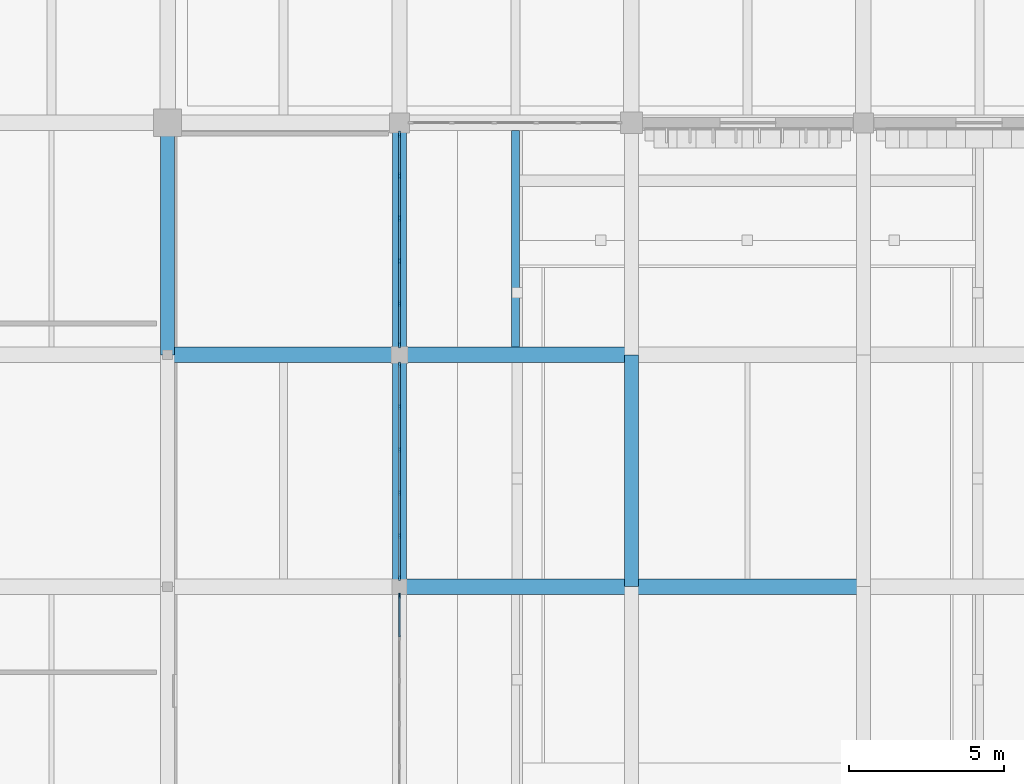
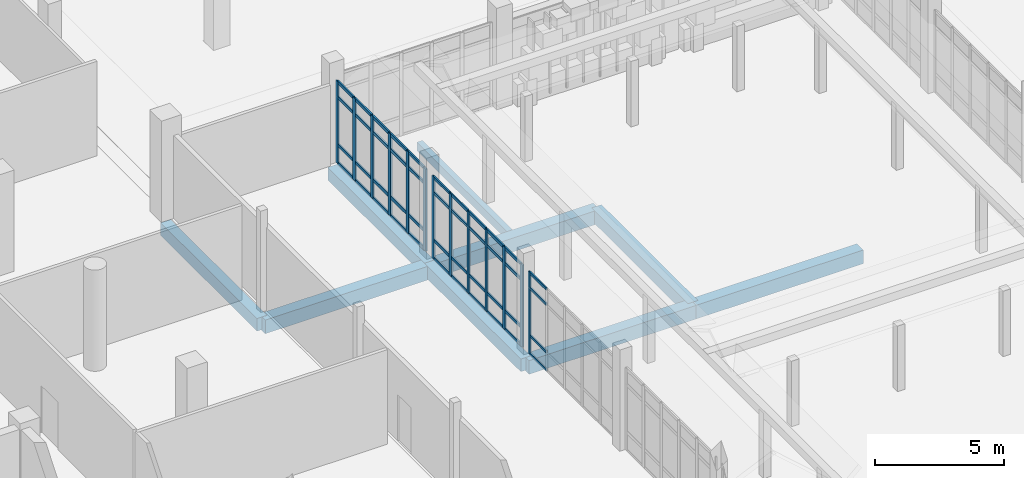
# One storey, part 41 of 125: 57 members, 9 beams, 3 elements without a shape of their own.
"""IFC4 building model written with IfcOpenShell, lengths in metres."""

from ifc_helpers import new_model, si_unit, direction, frame, origin, origin_2d, place, context, subcontext, project, spatial, rectangle, extrude, material, layer, layer_set, material_profile, profile_set, type_object, element, aggregate, save


model = new_model("IFC4")

# Units and contexts
model_context = context("Model", 3, precision=1e-05, world=origin(), true_north=direction((0.0, 1.0)))
body_context = subcontext(model_context, "Body", "Model", "MODEL_VIEW")
ifc_project = project(units=[si_unit("LENGTHUNIT", "METRE"), si_unit("AREAUNIT", "SQUARE_METRE"), si_unit("VOLUMEUNIT", "CUBIC_METRE"), si_unit("PLANEANGLEUNIT", "RADIAN"), si_unit("MASSUNIT", "GRAM", prefix="KILO")], contexts=[model_context])

# Site, building, storey
site_placement = place(None, origin())
site = spatial("IfcSite", under=ifc_project, at=site_placement, CompositionType="ELEMENT")
building_placement = place(site_placement, origin())
building = spatial("IfcBuilding", under=site, at=building_placement, Name="Dalvernix Boulevard General Hospital", CompositionType="ELEMENT")
storey_placement = place(building_placement, origin())
storey = spatial("IfcBuildingStorey", under=building, at=storey_placement, Name="L00", CompositionType="ELEMENT", Elevation=0.0)

# Beams
ifc_material_1 = material(Name="Concrete C35/45", Category="concrete")
ifc_material_profile_1 = material_profile(ifc_material_1, rectangle(XDim=0.5, YDim=0.64990234375, at=origin_2d()), Name="RCB 500x650")
ifc_profile_set_1 = profile_set([ifc_material_profile_1], Name="Concrete C35/45")
beam_type_1 = type_object("IfcBeamType", Name="BM-B-02-I", PredefinedType="BEAM", material=ifc_profile_set_1)
for number, where, z_axis, x_axis, name in (
    (1, (37.5, 61.5, -0.68505859375), (1.0, 0.0, 0.0), (0.0, 1.0, 0.0), "L00 E-W girder J:6-7"),
    (2, (45.0, 61.5, -0.68505859375), (1.0, 0.0, 0.0), (0.0, 1.0, 0.0), "L00 E-W girder J:7-8"),
    (3, (30.0, 69.0, -0.68505859375), (1.0, 0.0, 0.0), (0.0, 1.0, 0.0), "L00 E-W girder K:5-6"),
    (4, (37.5, 69.0, -0.68505859375), (1.0, 0.0, 0.0), (0.0, 1.0, 0.0), "L00 E-W girder K:6-7"),
):
    element("IfcBeam", number, at=place(storey_placement, frame(where, z_axis=z_axis, x_axis=x_axis)), inside=storey, type_object=beam_type_1, Name=name, PredefinedType="BEAM", context=body_context, shape_type="SweptSolid", body=[
        extrude(rectangle(XDim=0.5, YDim=0.64990234375, at=origin_2d()), origin(), (0.0, 0.0, 1.0), 7.5),
    ])
ifc_material_profile_2 = material_profile(ifc_material_1, rectangle(XDim=0.449951171875, YDim=0.60009765625, at=origin_2d()), Name="RCB 450x600")
ifc_profile_set_2 = profile_set([ifc_material_profile_2], Name="Concrete C35/45")
beam_type_2 = type_object("IfcBeamType", Name="BM-B-04-I", PredefinedType="BEAM", material=ifc_profile_set_2)
for number, where, z_axis, x_axis, name in (
    (5, (30.0, 69.0, -0.659912109375), (0.0, 1.0, 0.0), (-1.0, 0.0, 0.0), "L00 N-S girder 5:K-L"),
    (6, (37.5, 61.5, -0.659912109375), (0.0, 1.0, 0.0), (-1.0, 0.0, 0.0), "L00 N-S girder 6:J-K"),
    (7, (37.5, 69.0, -0.659912109375), (0.0, 1.0, 0.0), (-1.0, 0.0, 0.0), "L00 N-S girder 6:K-L"),
    (8, (45.0, 61.5, -0.659912109375), (0.0, 1.0, 0.0), (-1.0, 0.0, 0.0), "L00 N-S girder 7:J-K"),
):
    element("IfcBeam", number, at=place(storey_placement, frame(where, z_axis=z_axis, x_axis=x_axis)), inside=storey, type_object=beam_type_2, Name=name, PredefinedType="BEAM", context=body_context, shape_type="SweptSolid", body=[
        extrude(rectangle(XDim=0.449951171875, YDim=0.60009765625, at=origin_2d()), origin(), (0.0, 0.0, 1.0), 7.5),
    ])
ifc_material_profile_3 = material_profile(ifc_material_1, rectangle(XDim=0.25, YDim=0.39990234375, at=origin_2d()), Name="RCB 250x400")
ifc_profile_set_3 = profile_set([ifc_material_profile_3], Name="Concrete C35/45")
beam_type_3 = type_object("IfcBeamType", Name="BM-JB-02", PredefinedType="JOIST", material=ifc_profile_set_3)
beam_placement = place(storey_placement, frame((41.25, 69.25, -0.56005859375), z_axis=(0.0, 1.0, 0.0), x_axis=(-1.0, 0.0, 0.0)))
element("IfcBeam", 9, at=beam_placement, inside=storey, type_object=beam_type_3, Name="L00 secondary floor beam 6-K", PredefinedType="JOIST", context=body_context, shape_type="SweptSolid", body=[
    extrude(rectangle(XDim=0.25, YDim=0.39990234375, at=origin_2d()), origin(), (0.0, 0.0, 1.0), 7.0),
])

# Curtain wall, member
ifc_material_2 = material(Name="Thermally broken aluminium and solar-control glass curtain wall", Category="aluminium")
ifc_layer_1 = layer(ifc_material_2, 0.159912109375)
ifc_layer_set_1 = layer_set([ifc_layer_1], Name="Thermally broken aluminium and solar-control glass curtain wall (CW-CW-A-70x39)")
curtain_wall_type_1 = type_object("IfcCurtainWallType", Name="CW-CW-A-70x39", PredefinedType="USERDEFINED", material=ifc_layer_set_1)
curtain_wall_1_placement = place(storey_placement, origin())
curtain_wall_1 = element("IfcCurtainWall", 10, at=curtain_wall_1_placement, inside=storey, type_object=curtain_wall_type_1, Name="L00 curtain wall CW-A-70x39 5-7", ObjectType="GLAZED FACADE", PredefinedType="USERDEFINED")
ifc_material_3 = material(Name="Aluminium EN AW-6060", Category="aluminium")
ifc_material_profile_4 = material_profile(ifc_material_3, rectangle(XDim=0.06005859375, YDim=0.159912109375, at=origin_2d()), Name="ALU MULL 60x160")
ifc_profile_set_4 = profile_set([ifc_material_profile_4], Name="Aluminium EN AW-6060")
member_type_1 = type_object("IfcMemberType", Name="MEM-CW-M1", PredefinedType="MULLION", material=ifc_profile_set_4)
member_1_placement = place(storey_placement, frame((37.5, 61.2099609375, 0.0), z_axis=(0.0, 0.0, 1.0), x_axis=(1.0, 0.0, 0.0)))
member_1 = element("IfcMember", 11, at=member_1_placement, type_object=member_type_1, Name="CW-A-70x39 mullion 1", PredefinedType="MULLION", context=body_context, shape_type="SweptSolid", body=[
    extrude(rectangle(XDim=0.06005859375, YDim=0.159912109375, at=origin_2d()), origin(), (0.0, 0.0, 1.0), 3.89990234375),
])

# Curtain wall, members
ifc_layer_2 = layer(ifc_material_2, 0.179931640625)
ifc_layer_set_2 = layer_set([ifc_layer_2], Name="Thermally broken aluminium and solar-control glass curtain wall (CW-CW-B-70x39)")
curtain_wall_type_2 = type_object("IfcCurtainWallType", Name="CW-CW-B-70x39", PredefinedType="USERDEFINED", material=ifc_layer_set_2)
curtain_wall_2_placement = place(storey_placement, origin())
curtain_wall_2 = element("IfcCurtainWall", 12, at=curtain_wall_2_placement, inside=storey, type_object=curtain_wall_type_2, Name="L00 curtain wall CW-B-70x39 5-8", ObjectType="GLAZED FACADE", PredefinedType="USERDEFINED")
ifc_material_profile_5 = material_profile(ifc_material_3, rectangle(XDim=0.06494140625, YDim=0.179931640625, at=origin_2d()), Name="ALU MULL 65x180")
ifc_profile_set_5 = profile_set([ifc_material_profile_5], Name="Aluminium EN AW-6060")
member_type_2 = type_object("IfcMemberType", Name="MEM-CW-M2", PredefinedType="MULLION", material=ifc_profile_set_5)
member_2_placement = place(storey_placement, frame((37.5, 68.6826171875, 0.0), z_axis=(0.0, 0.0, 1.0), x_axis=(1.0, 0.0, 0.0)))
member_2 = element("IfcMember", 13, at=member_2_placement, type_object=member_type_2, Name="CW-B-70x39 mullion 1", PredefinedType="MULLION", context=body_context, shape_type="SweptSolid", body=[
    extrude(rectangle(XDim=0.06494140625, YDim=0.179931640625, at=origin_2d()), origin(), (0.0, 0.0, 1.0), 3.89990234375),
])
member_3_placement = place(storey_placement, frame((37.5, 67.323974609375, 0.0), z_axis=(0.0, 0.0, 1.0), x_axis=(1.0, 0.0, 0.0)))
member_3 = element("IfcMember", 14, at=member_3_placement, type_object=member_type_2, Name="CW-B-70x39 mullion 2", PredefinedType="MULLION", context=body_context, shape_type="SweptSolid", body=[
    extrude(rectangle(XDim=0.06494140625, YDim=0.179931640625, at=origin_2d()), origin(), (0.0, 0.0, 1.0), 3.89990234375),
])
member_4_placement = place(storey_placement, frame((37.5, 65.93310546875, 0.0), z_axis=(0.0, 0.0, 1.0), x_axis=(1.0, 0.0, 0.0)))
member_4 = element("IfcMember", 15, at=member_4_placement, type_object=member_type_2, Name="CW-B-70x39 mullion 3", PredefinedType="MULLION", context=body_context, shape_type="SweptSolid", body=[
    extrude(rectangle(XDim=0.06494140625, YDim=0.179931640625, at=origin_2d()), origin(), (0.0, 0.0, 1.0), 3.89990234375),
])
member_5_placement = place(storey_placement, frame((37.5, 64.5419921875, 0.0), z_axis=(0.0, 0.0, 1.0), x_axis=(1.0, 0.0, 0.0)))
member_5 = element("IfcMember", 16, at=member_5_placement, type_object=member_type_2, Name="CW-B-70x39 mullion 4", PredefinedType="MULLION", context=body_context, shape_type="SweptSolid", body=[
    extrude(rectangle(XDim=0.06494140625, YDim=0.179931640625, at=origin_2d()), origin(), (0.0, 0.0, 1.0), 3.89990234375),
])
member_6_placement = place(storey_placement, frame((37.5, 63.15087890625, 0.0), z_axis=(0.0, 0.0, 1.0), x_axis=(1.0, 0.0, 0.0)))
member_6 = element("IfcMember", 17, at=member_6_placement, type_object=member_type_2, Name="CW-B-70x39 mullion 5", PredefinedType="MULLION", context=body_context, shape_type="SweptSolid", body=[
    extrude(rectangle(XDim=0.06494140625, YDim=0.179931640625, at=origin_2d()), origin(), (0.0, 0.0, 1.0), 3.89990234375),
])
member_7_placement = place(storey_placement, frame((37.5, 61.79248046875, 0.0), z_axis=(0.0, 0.0, 1.0), x_axis=(1.0, 0.0, 0.0)))
member_7 = element("IfcMember", 18, at=member_7_placement, type_object=member_type_2, Name="CW-B-70x39 mullion 6", PredefinedType="MULLION", context=body_context, shape_type="SweptSolid", body=[
    extrude(rectangle(XDim=0.06494140625, YDim=0.179931640625, at=origin_2d()), origin(), (0.0, 0.0, 1.0), 3.89990234375),
])

ifc_layer_3 = layer(ifc_material_2, 0.199951171875)
ifc_layer_set_3 = layer_set([ifc_layer_3], Name="Thermally broken aluminium and solar-control glass curtain wall (CW-CW-C-69x39)")
curtain_wall_type_3 = type_object("IfcCurtainWallType", Name="CW-CW-C-69x39", PredefinedType="USERDEFINED", material=ifc_layer_set_3)
curtain_wall_3_placement = place(storey_placement, origin())
curtain_wall_3 = element("IfcCurtainWall", 19, at=curtain_wall_3_placement, inside=storey, type_object=curtain_wall_type_3, Name="L00 curtain wall CW-C-69x39 5-9", ObjectType="GLAZED FACADE", PredefinedType="USERDEFINED")
ifc_material_profile_6 = material_profile(ifc_material_3, rectangle(XDim=0.070068359375, YDim=0.199951171875, at=origin_2d()), Name="ALU MULL 70x200")
ifc_profile_set_6 = profile_set([ifc_material_profile_6], Name="Aluminium EN AW-6060")
member_type_3 = type_object("IfcMemberType", Name="MEM-CW-M3", PredefinedType="MULLION", material=ifc_profile_set_6)
member_8_placement = place(storey_placement, frame((37.5, 76.1298828125, 0.0), z_axis=(0.0, 0.0, 1.0), x_axis=(1.0, 0.0, 0.0)))
member_8 = element("IfcMember", 20, at=member_8_placement, type_object=member_type_3, Name="CW-C-69x39 mullion 1", PredefinedType="MULLION", context=body_context, shape_type="SweptSolid", body=[
    extrude(rectangle(XDim=0.070068359375, YDim=0.199951171875, at=origin_2d()), origin(), (0.0, 0.0, 1.0), 3.89990234375),
])
member_9_placement = place(storey_placement, frame((37.5, 74.7890625, 0.0), z_axis=(0.0, 0.0, 1.0), x_axis=(1.0, 0.0, 0.0)))
member_9 = element("IfcMember", 21, at=member_9_placement, type_object=member_type_3, Name="CW-C-69x39 mullion 2", PredefinedType="MULLION", context=body_context, shape_type="SweptSolid", body=[
    extrude(rectangle(XDim=0.070068359375, YDim=0.199951171875, at=origin_2d()), origin(), (0.0, 0.0, 1.0), 3.89990234375),
])
member_10_placement = place(storey_placement, frame((37.5, 73.4130859375, 0.0), z_axis=(0.0, 0.0, 1.0), x_axis=(1.0, 0.0, 0.0)))
member_10 = element("IfcMember", 22, at=member_10_placement, type_object=member_type_3, Name="CW-C-69x39 mullion 3", PredefinedType="MULLION", context=body_context, shape_type="SweptSolid", body=[
    extrude(rectangle(XDim=0.070068359375, YDim=0.199951171875, at=origin_2d()), origin(), (0.0, 0.0, 1.0), 3.89990234375),
])
member_11_placement = place(storey_placement, frame((37.5, 72.037109375, 0.0), z_axis=(0.0, 0.0, 1.0), x_axis=(1.0, 0.0, 0.0)))
member_11 = element("IfcMember", 23, at=member_11_placement, type_object=member_type_3, Name="CW-C-69x39 mullion 4", PredefinedType="MULLION", context=body_context, shape_type="SweptSolid", body=[
    extrude(rectangle(XDim=0.070068359375, YDim=0.199951171875, at=origin_2d()), origin(), (0.0, 0.0, 1.0), 3.89990234375),
])
member_12_placement = place(storey_placement, frame((37.5, 70.660888671875, 0.0), z_axis=(0.0, 0.0, 1.0), x_axis=(1.0, 0.0, 0.0)))
member_12 = element("IfcMember", 24, at=member_12_placement, type_object=member_type_3, Name="CW-C-69x39 mullion 5", PredefinedType="MULLION", context=body_context, shape_type="SweptSolid", body=[
    extrude(rectangle(XDim=0.070068359375, YDim=0.199951171875, at=origin_2d()), origin(), (0.0, 0.0, 1.0), 3.89990234375),
])
member_13_placement = place(storey_placement, frame((37.5, 69.320068359375, 0.0), z_axis=(0.0, 0.0, 1.0), x_axis=(1.0, 0.0, 0.0)))
member_13 = element("IfcMember", 25, at=member_13_placement, type_object=member_type_3, Name="CW-C-69x39 mullion 6", PredefinedType="MULLION", context=body_context, shape_type="SweptSolid", body=[
    extrude(rectangle(XDim=0.070068359375, YDim=0.199951171875, at=origin_2d()), origin(), (0.0, 0.0, 1.0), 3.89990234375),
])

# Member
ifc_material_profile_7 = material_profile(ifc_material_3, rectangle(XDim=0.06005859375, YDim=0.1201171875, at=origin_2d()), Name="ALU TRAN 60x120")
ifc_profile_set_7 = profile_set([ifc_material_profile_7], Name="Aluminium EN AW-6060")
member_type_4 = type_object("IfcMemberType", Name="MEM-CW-T1", PredefinedType="USERDEFINED", material=ifc_profile_set_7)
member_14_placement = place(storey_placement, frame((37.5, 61.179931640625, 0.030029296875), z_axis=(0.0, -1.0, 0.0), x_axis=(1.0, 0.0, 0.0)))
member_14 = element("IfcMember", 26, at=member_14_placement, type_object=member_type_4, Name="CW-A-70x39 transom 1.1", ObjectType="TRANSOM", PredefinedType="USERDEFINED", context=body_context, shape_type="SweptSolid", body=[
    extrude(rectangle(XDim=0.06005859375, YDim=0.1201171875, at=origin_2d()), origin(), (0.0, 0.0, 1.0), 1.301025390625),
])

member_15_placement = place(storey_placement, frame((37.5, 61.179931640625, 0.89990234375), z_axis=(0.0, -1.0, 0.0), x_axis=(1.0, 0.0, 0.0)))
member_15 = element("IfcMember", 27, at=member_15_placement, type_object=member_type_4, Name="CW-A-70x39 transom 1.2", ObjectType="TRANSOM", PredefinedType="USERDEFINED", context=body_context, shape_type="SweptSolid", body=[
    extrude(rectangle(XDim=0.06005859375, YDim=0.1201171875, at=origin_2d()), origin(), (0.0, 0.0, 1.0), 1.301025390625),
])

member_16_placement = place(storey_placement, frame((37.5, 61.179931640625, 3.14990234375), z_axis=(0.0, -1.0, 0.0), x_axis=(1.0, 0.0, 0.0)))
member_16 = element("IfcMember", 28, at=member_16_placement, type_object=member_type_4, Name="CW-A-70x39 transom 1.3", ObjectType="TRANSOM", PredefinedType="USERDEFINED", context=body_context, shape_type="SweptSolid", body=[
    extrude(rectangle(XDim=0.06005859375, YDim=0.1201171875, at=origin_2d()), origin(), (0.0, 0.0, 1.0), 1.301025390625),
])

member_17_placement = place(storey_placement, frame((37.5, 61.179931640625, 3.8701171875), z_axis=(0.0, -1.0, 0.0), x_axis=(1.0, 0.0, 0.0)))
member_17 = element("IfcMember", 29, at=member_17_placement, type_object=member_type_4, Name="CW-A-70x39 transom 1.4", ObjectType="TRANSOM", PredefinedType="USERDEFINED", context=body_context, shape_type="SweptSolid", body=[
    extrude(rectangle(XDim=0.06005859375, YDim=0.1201171875, at=origin_2d()), origin(), (0.0, 0.0, 1.0), 1.301025390625),
])

aggregate(curtain_wall_1, [member_1, member_14, member_15, member_16, member_17])

ifc_material_profile_8 = material_profile(ifc_material_3, rectangle(XDim=0.06494140625, YDim=0.139892578125, at=origin_2d()), Name="ALU TRAN 65x140")
ifc_profile_set_8 = profile_set([ifc_material_profile_8], Name="Aluminium EN AW-6060")
member_type_5 = type_object("IfcMemberType", Name="MEM-CW-T2", PredefinedType="USERDEFINED", material=ifc_profile_set_8)
member_18_placement = place(storey_placement, frame((37.5, 68.64990234375, 0.032470703125), z_axis=(0.0, -1.0, 0.0), x_axis=(1.0, 0.0, 0.0)))
member_18 = element("IfcMember", 30, at=member_18_placement, type_object=member_type_5, Name="CW-B-70x39 transom 1.1", ObjectType="TRANSOM", PredefinedType="USERDEFINED", context=body_context, shape_type="SweptSolid", body=[
    extrude(rectangle(XDim=0.06494140625, YDim=0.139892578125, at=origin_2d()), origin(), (0.0, 0.0, 1.0), 1.29345703125),
])

member_19_placement = place(storey_placement, frame((37.5, 68.64990234375, 0.89990234375), z_axis=(0.0, -1.0, 0.0), x_axis=(1.0, 0.0, 0.0)))
member_19 = element("IfcMember", 31, at=member_19_placement, type_object=member_type_5, Name="CW-B-70x39 transom 1.2", ObjectType="TRANSOM", PredefinedType="USERDEFINED", context=body_context, shape_type="SweptSolid", body=[
    extrude(rectangle(XDim=0.06494140625, YDim=0.139892578125, at=origin_2d()), origin(), (0.0, 0.0, 1.0), 1.29345703125),
])

member_20_placement = place(storey_placement, frame((37.5, 68.64990234375, 3.14990234375), z_axis=(0.0, -1.0, 0.0), x_axis=(1.0, 0.0, 0.0)))
member_20 = element("IfcMember", 32, at=member_20_placement, type_object=member_type_5, Name="CW-B-70x39 transom 1.3", ObjectType="TRANSOM", PredefinedType="USERDEFINED", context=body_context, shape_type="SweptSolid", body=[
    extrude(rectangle(XDim=0.06494140625, YDim=0.139892578125, at=origin_2d()), origin(), (0.0, 0.0, 1.0), 1.29345703125),
])

member_21_placement = place(storey_placement, frame((37.5, 68.64990234375, 3.867431640625), z_axis=(0.0, -1.0, 0.0), x_axis=(1.0, 0.0, 0.0)))
member_21 = element("IfcMember", 33, at=member_21_placement, type_object=member_type_5, Name="CW-B-70x39 transom 1.4", ObjectType="TRANSOM", PredefinedType="USERDEFINED", context=body_context, shape_type="SweptSolid", body=[
    extrude(rectangle(XDim=0.06494140625, YDim=0.139892578125, at=origin_2d()), origin(), (0.0, 0.0, 1.0), 1.29345703125),
])

member_22_placement = place(storey_placement, frame((37.5, 67.29150390625, 0.032470703125), z_axis=(0.0, -1.0, 0.0), x_axis=(1.0, 0.0, 0.0)))
member_22 = element("IfcMember", 34, at=member_22_placement, type_object=member_type_5, Name="CW-B-70x39 transom 2.1", ObjectType="TRANSOM", PredefinedType="USERDEFINED", context=body_context, shape_type="SweptSolid", body=[
    extrude(rectangle(XDim=0.06494140625, YDim=0.139892578125, at=origin_2d()), origin(), (0.0, 0.0, 1.0), 1.325927734375),
])

member_23_placement = place(storey_placement, frame((37.5, 67.29150390625, 0.89990234375), z_axis=(0.0, -1.0, 0.0), x_axis=(1.0, 0.0, 0.0)))
member_23 = element("IfcMember", 35, at=member_23_placement, type_object=member_type_5, Name="CW-B-70x39 transom 2.2", ObjectType="TRANSOM", PredefinedType="USERDEFINED", context=body_context, shape_type="SweptSolid", body=[
    extrude(rectangle(XDim=0.06494140625, YDim=0.139892578125, at=origin_2d()), origin(), (0.0, 0.0, 1.0), 1.325927734375),
])

member_24_placement = place(storey_placement, frame((37.5, 67.29150390625, 3.14990234375), z_axis=(0.0, -1.0, 0.0), x_axis=(1.0, 0.0, 0.0)))
member_24 = element("IfcMember", 36, at=member_24_placement, type_object=member_type_5, Name="CW-B-70x39 transom 2.3", ObjectType="TRANSOM", PredefinedType="USERDEFINED", context=body_context, shape_type="SweptSolid", body=[
    extrude(rectangle(XDim=0.06494140625, YDim=0.139892578125, at=origin_2d()), origin(), (0.0, 0.0, 1.0), 1.325927734375),
])

member_25_placement = place(storey_placement, frame((37.5, 67.29150390625, 3.867431640625), z_axis=(0.0, -1.0, 0.0), x_axis=(1.0, 0.0, 0.0)))
member_25 = element("IfcMember", 37, at=member_25_placement, type_object=member_type_5, Name="CW-B-70x39 transom 2.4", ObjectType="TRANSOM", PredefinedType="USERDEFINED", context=body_context, shape_type="SweptSolid", body=[
    extrude(rectangle(XDim=0.06494140625, YDim=0.139892578125, at=origin_2d()), origin(), (0.0, 0.0, 1.0), 1.325927734375),
])

member_26_placement = place(storey_placement, frame((37.5, 65.900390625, 0.032470703125), z_axis=(0.0, -1.0, 0.0), x_axis=(1.0, 0.0, 0.0)))
member_26 = element("IfcMember", 38, at=member_26_placement, type_object=member_type_5, Name="CW-B-70x39 transom 3.1", ObjectType="TRANSOM", PredefinedType="USERDEFINED", context=body_context, shape_type="SweptSolid", body=[
    extrude(rectangle(XDim=0.06494140625, YDim=0.139892578125, at=origin_2d()), origin(), (0.0, 0.0, 1.0), 1.325927734375),
])

member_27_placement = place(storey_placement, frame((37.5, 65.900390625, 0.89990234375), z_axis=(0.0, -1.0, 0.0), x_axis=(1.0, 0.0, 0.0)))
member_27 = element("IfcMember", 39, at=member_27_placement, type_object=member_type_5, Name="CW-B-70x39 transom 3.2", ObjectType="TRANSOM", PredefinedType="USERDEFINED", context=body_context, shape_type="SweptSolid", body=[
    extrude(rectangle(XDim=0.06494140625, YDim=0.139892578125, at=origin_2d()), origin(), (0.0, 0.0, 1.0), 1.325927734375),
])

member_28_placement = place(storey_placement, frame((37.5, 65.900390625, 3.14990234375), z_axis=(0.0, -1.0, 0.0), x_axis=(1.0, 0.0, 0.0)))
member_28 = element("IfcMember", 40, at=member_28_placement, type_object=member_type_5, Name="CW-B-70x39 transom 3.3", ObjectType="TRANSOM", PredefinedType="USERDEFINED", context=body_context, shape_type="SweptSolid", body=[
    extrude(rectangle(XDim=0.06494140625, YDim=0.139892578125, at=origin_2d()), origin(), (0.0, 0.0, 1.0), 1.325927734375),
])

member_29_placement = place(storey_placement, frame((37.5, 65.900390625, 3.867431640625), z_axis=(0.0, -1.0, 0.0), x_axis=(1.0, 0.0, 0.0)))
member_29 = element("IfcMember", 41, at=member_29_placement, type_object=member_type_5, Name="CW-B-70x39 transom 3.4", ObjectType="TRANSOM", PredefinedType="USERDEFINED", context=body_context, shape_type="SweptSolid", body=[
    extrude(rectangle(XDim=0.06494140625, YDim=0.139892578125, at=origin_2d()), origin(), (0.0, 0.0, 1.0), 1.325927734375),
])

member_30_placement = place(storey_placement, frame((37.5, 64.509521484375, 0.032470703125), z_axis=(0.0, -1.0, 0.0), x_axis=(1.0, 0.0, 0.0)))
member_30 = element("IfcMember", 42, at=member_30_placement, type_object=member_type_5, Name="CW-B-70x39 transom 4.1", ObjectType="TRANSOM", PredefinedType="USERDEFINED", context=body_context, shape_type="SweptSolid", body=[
    extrude(rectangle(XDim=0.06494140625, YDim=0.139892578125, at=origin_2d()), origin(), (0.0, 0.0, 1.0), 1.325927734375),
])

member_31_placement = place(storey_placement, frame((37.5, 64.509521484375, 0.89990234375), z_axis=(0.0, -1.0, 0.0), x_axis=(1.0, 0.0, 0.0)))
member_31 = element("IfcMember", 43, at=member_31_placement, type_object=member_type_5, Name="CW-B-70x39 transom 4.2", ObjectType="TRANSOM", PredefinedType="USERDEFINED", context=body_context, shape_type="SweptSolid", body=[
    extrude(rectangle(XDim=0.06494140625, YDim=0.139892578125, at=origin_2d()), origin(), (0.0, 0.0, 1.0), 1.325927734375),
])

member_32_placement = place(storey_placement, frame((37.5, 64.509521484375, 3.14990234375), z_axis=(0.0, -1.0, 0.0), x_axis=(1.0, 0.0, 0.0)))
member_32 = element("IfcMember", 44, at=member_32_placement, type_object=member_type_5, Name="CW-B-70x39 transom 4.3", ObjectType="TRANSOM", PredefinedType="USERDEFINED", context=body_context, shape_type="SweptSolid", body=[
    extrude(rectangle(XDim=0.06494140625, YDim=0.139892578125, at=origin_2d()), origin(), (0.0, 0.0, 1.0), 1.325927734375),
])

member_33_placement = place(storey_placement, frame((37.5, 64.509521484375, 3.867431640625), z_axis=(0.0, -1.0, 0.0), x_axis=(1.0, 0.0, 0.0)))
member_33 = element("IfcMember", 45, at=member_33_placement, type_object=member_type_5, Name="CW-B-70x39 transom 4.4", ObjectType="TRANSOM", PredefinedType="USERDEFINED", context=body_context, shape_type="SweptSolid", body=[
    extrude(rectangle(XDim=0.06494140625, YDim=0.139892578125, at=origin_2d()), origin(), (0.0, 0.0, 1.0), 1.325927734375),
])

member_34_placement = place(storey_placement, frame((37.5, 63.118408203125, 0.032470703125), z_axis=(0.0, -1.0, 0.0), x_axis=(1.0, 0.0, 0.0)))
member_34 = element("IfcMember", 46, at=member_34_placement, type_object=member_type_5, Name="CW-B-70x39 transom 5.1", ObjectType="TRANSOM", PredefinedType="USERDEFINED", context=body_context, shape_type="SweptSolid", body=[
    extrude(rectangle(XDim=0.06494140625, YDim=0.139892578125, at=origin_2d()), origin(), (0.0, 0.0, 1.0), 1.29345703125),
])

member_35_placement = place(storey_placement, frame((37.5, 63.118408203125, 0.89990234375), z_axis=(0.0, -1.0, 0.0), x_axis=(1.0, 0.0, 0.0)))
member_35 = element("IfcMember", 47, at=member_35_placement, type_object=member_type_5, Name="CW-B-70x39 transom 5.2", ObjectType="TRANSOM", PredefinedType="USERDEFINED", context=body_context, shape_type="SweptSolid", body=[
    extrude(rectangle(XDim=0.06494140625, YDim=0.139892578125, at=origin_2d()), origin(), (0.0, 0.0, 1.0), 1.29345703125),
])

member_36_placement = place(storey_placement, frame((37.5, 63.118408203125, 3.14990234375), z_axis=(0.0, -1.0, 0.0), x_axis=(1.0, 0.0, 0.0)))
member_36 = element("IfcMember", 48, at=member_36_placement, type_object=member_type_5, Name="CW-B-70x39 transom 5.3", ObjectType="TRANSOM", PredefinedType="USERDEFINED", context=body_context, shape_type="SweptSolid", body=[
    extrude(rectangle(XDim=0.06494140625, YDim=0.139892578125, at=origin_2d()), origin(), (0.0, 0.0, 1.0), 1.29345703125),
])

member_37_placement = place(storey_placement, frame((37.5, 63.118408203125, 3.867431640625), z_axis=(0.0, -1.0, 0.0), x_axis=(1.0, 0.0, 0.0)))
member_37 = element("IfcMember", 49, at=member_37_placement, type_object=member_type_5, Name="CW-B-70x39 transom 5.4", ObjectType="TRANSOM", PredefinedType="USERDEFINED", context=body_context, shape_type="SweptSolid", body=[
    extrude(rectangle(XDim=0.06494140625, YDim=0.139892578125, at=origin_2d()), origin(), (0.0, 0.0, 1.0), 1.29345703125),
])

aggregate(curtain_wall_2, [member_2, member_3, member_4, member_5, member_6, member_7, member_18, member_19, member_20, member_21, member_22, member_23, member_24, member_25, member_26, member_27, member_28, member_29, member_30, member_31, member_32, member_33, member_34, member_35, member_36, member_37])

ifc_material_profile_9 = material_profile(ifc_material_3, rectangle(XDim=0.070068359375, YDim=0.14990234375, at=origin_2d()), Name="ALU TRAN 70x150")
ifc_profile_set_9 = profile_set([ifc_material_profile_9], Name="Aluminium EN AW-6060")
member_type_6 = type_object("IfcMemberType", Name="MEM-CW-T3", PredefinedType="USERDEFINED", material=ifc_profile_set_9)
member_38_placement = place(storey_placement, frame((37.5, 76.094970703125, 0.034912109375), z_axis=(0.0, -1.0, 0.0), x_axis=(1.0, 0.0, 0.0)))
member_38 = element("IfcMember", 50, at=member_38_placement, type_object=member_type_6, Name="CW-C-69x39 transom 1.1", ObjectType="TRANSOM", PredefinedType="USERDEFINED", context=body_context, shape_type="SweptSolid", body=[
    extrude(rectangle(XDim=0.070068359375, YDim=0.14990234375, at=origin_2d()), origin(), (0.0, 0.0, 1.0), 1.27099609375),
])

member_39_placement = place(storey_placement, frame((37.5, 76.094970703125, 0.89990234375), z_axis=(0.0, -1.0, 0.0), x_axis=(1.0, 0.0, 0.0)))
member_39 = element("IfcMember", 51, at=member_39_placement, type_object=member_type_6, Name="CW-C-69x39 transom 1.2", ObjectType="TRANSOM", PredefinedType="USERDEFINED", context=body_context, shape_type="SweptSolid", body=[
    extrude(rectangle(XDim=0.070068359375, YDim=0.14990234375, at=origin_2d()), origin(), (0.0, 0.0, 1.0), 1.27099609375),
])

member_40_placement = place(storey_placement, frame((37.5, 76.094970703125, 3.14990234375), z_axis=(0.0, -1.0, 0.0), x_axis=(1.0, 0.0, 0.0)))
member_40 = element("IfcMember", 52, at=member_40_placement, type_object=member_type_6, Name="CW-C-69x39 transom 1.3", ObjectType="TRANSOM", PredefinedType="USERDEFINED", context=body_context, shape_type="SweptSolid", body=[
    extrude(rectangle(XDim=0.070068359375, YDim=0.14990234375, at=origin_2d()), origin(), (0.0, 0.0, 1.0), 1.27099609375),
])

member_41_placement = place(storey_placement, frame((37.5, 76.094970703125, 3.864990234375), z_axis=(0.0, -1.0, 0.0), x_axis=(1.0, 0.0, 0.0)))
member_41 = element("IfcMember", 53, at=member_41_placement, type_object=member_type_6, Name="CW-C-69x39 transom 1.4", ObjectType="TRANSOM", PredefinedType="USERDEFINED", context=body_context, shape_type="SweptSolid", body=[
    extrude(rectangle(XDim=0.070068359375, YDim=0.14990234375, at=origin_2d()), origin(), (0.0, 0.0, 1.0), 1.27099609375),
])

member_42_placement = place(storey_placement, frame((37.5, 74.75390625, 0.034912109375), z_axis=(0.0, -1.0, 0.0), x_axis=(1.0, 0.0, 0.0)))
member_42 = element("IfcMember", 54, at=member_42_placement, type_object=member_type_6, Name="CW-C-69x39 transom 2.1", ObjectType="TRANSOM", PredefinedType="USERDEFINED", context=body_context, shape_type="SweptSolid", body=[
    extrude(rectangle(XDim=0.070068359375, YDim=0.14990234375, at=origin_2d()), origin(), (0.0, 0.0, 1.0), 1.305908203125),
])

member_43_placement = place(storey_placement, frame((37.5, 74.75390625, 0.89990234375), z_axis=(0.0, -1.0, 0.0), x_axis=(1.0, 0.0, 0.0)))
member_43 = element("IfcMember", 55, at=member_43_placement, type_object=member_type_6, Name="CW-C-69x39 transom 2.2", ObjectType="TRANSOM", PredefinedType="USERDEFINED", context=body_context, shape_type="SweptSolid", body=[
    extrude(rectangle(XDim=0.070068359375, YDim=0.14990234375, at=origin_2d()), origin(), (0.0, 0.0, 1.0), 1.305908203125),
])

member_44_placement = place(storey_placement, frame((37.5, 74.75390625, 3.14990234375), z_axis=(0.0, -1.0, 0.0), x_axis=(1.0, 0.0, 0.0)))
member_44 = element("IfcMember", 56, at=member_44_placement, type_object=member_type_6, Name="CW-C-69x39 transom 2.3", ObjectType="TRANSOM", PredefinedType="USERDEFINED", context=body_context, shape_type="SweptSolid", body=[
    extrude(rectangle(XDim=0.070068359375, YDim=0.14990234375, at=origin_2d()), origin(), (0.0, 0.0, 1.0), 1.305908203125),
])

member_45_placement = place(storey_placement, frame((37.5, 74.75390625, 3.864990234375), z_axis=(0.0, -1.0, 0.0), x_axis=(1.0, 0.0, 0.0)))
member_45 = element("IfcMember", 57, at=member_45_placement, type_object=member_type_6, Name="CW-C-69x39 transom 2.4", ObjectType="TRANSOM", PredefinedType="USERDEFINED", context=body_context, shape_type="SweptSolid", body=[
    extrude(rectangle(XDim=0.070068359375, YDim=0.14990234375, at=origin_2d()), origin(), (0.0, 0.0, 1.0), 1.305908203125),
])

member_46_placement = place(storey_placement, frame((37.5, 73.3779296875, 0.034912109375), z_axis=(0.0, -1.0, 0.0), x_axis=(1.0, 0.0, 0.0)))
member_46 = element("IfcMember", 58, at=member_46_placement, type_object=member_type_6, Name="CW-C-69x39 transom 3.1", ObjectType="TRANSOM", PredefinedType="USERDEFINED", context=body_context, shape_type="SweptSolid", body=[
    extrude(rectangle(XDim=0.070068359375, YDim=0.14990234375, at=origin_2d()), origin(), (0.0, 0.0, 1.0), 1.305908203125),
])

member_47_placement = place(storey_placement, frame((37.5, 73.3779296875, 0.89990234375), z_axis=(0.0, -1.0, 0.0), x_axis=(1.0, 0.0, 0.0)))
member_47 = element("IfcMember", 59, at=member_47_placement, type_object=member_type_6, Name="CW-C-69x39 transom 3.2", ObjectType="TRANSOM", PredefinedType="USERDEFINED", context=body_context, shape_type="SweptSolid", body=[
    extrude(rectangle(XDim=0.070068359375, YDim=0.14990234375, at=origin_2d()), origin(), (0.0, 0.0, 1.0), 1.305908203125),
])

member_48_placement = place(storey_placement, frame((37.5, 73.3779296875, 3.14990234375), z_axis=(0.0, -1.0, 0.0), x_axis=(1.0, 0.0, 0.0)))
member_48 = element("IfcMember", 60, at=member_48_placement, type_object=member_type_6, Name="CW-C-69x39 transom 3.3", ObjectType="TRANSOM", PredefinedType="USERDEFINED", context=body_context, shape_type="SweptSolid", body=[
    extrude(rectangle(XDim=0.070068359375, YDim=0.14990234375, at=origin_2d()), origin(), (0.0, 0.0, 1.0), 1.305908203125),
])

member_49_placement = place(storey_placement, frame((37.5, 73.3779296875, 3.864990234375), z_axis=(0.0, -1.0, 0.0), x_axis=(1.0, 0.0, 0.0)))
member_49 = element("IfcMember", 61, at=member_49_placement, type_object=member_type_6, Name="CW-C-69x39 transom 3.4", ObjectType="TRANSOM", PredefinedType="USERDEFINED", context=body_context, shape_type="SweptSolid", body=[
    extrude(rectangle(XDim=0.070068359375, YDim=0.14990234375, at=origin_2d()), origin(), (0.0, 0.0, 1.0), 1.305908203125),
])

member_50_placement = place(storey_placement, frame((37.5, 72.001953125, 0.034912109375), z_axis=(0.0, -1.0, 0.0), x_axis=(1.0, 0.0, 0.0)))
member_50 = element("IfcMember", 62, at=member_50_placement, type_object=member_type_6, Name="CW-C-69x39 transom 4.1", ObjectType="TRANSOM", PredefinedType="USERDEFINED", context=body_context, shape_type="SweptSolid", body=[
    extrude(rectangle(XDim=0.070068359375, YDim=0.14990234375, at=origin_2d()), origin(), (0.0, 0.0, 1.0), 1.305908203125),
])

member_51_placement = place(storey_placement, frame((37.5, 72.001953125, 0.89990234375), z_axis=(0.0, -1.0, 0.0), x_axis=(1.0, 0.0, 0.0)))
member_51 = element("IfcMember", 63, at=member_51_placement, type_object=member_type_6, Name="CW-C-69x39 transom 4.2", ObjectType="TRANSOM", PredefinedType="USERDEFINED", context=body_context, shape_type="SweptSolid", body=[
    extrude(rectangle(XDim=0.070068359375, YDim=0.14990234375, at=origin_2d()), origin(), (0.0, 0.0, 1.0), 1.305908203125),
])

member_52_placement = place(storey_placement, frame((37.5, 72.001953125, 3.14990234375), z_axis=(0.0, -1.0, 0.0), x_axis=(1.0, 0.0, 0.0)))
member_52 = element("IfcMember", 64, at=member_52_placement, type_object=member_type_6, Name="CW-C-69x39 transom 4.3", ObjectType="TRANSOM", PredefinedType="USERDEFINED", context=body_context, shape_type="SweptSolid", body=[
    extrude(rectangle(XDim=0.070068359375, YDim=0.14990234375, at=origin_2d()), origin(), (0.0, 0.0, 1.0), 1.305908203125),
])

member_53_placement = place(storey_placement, frame((37.5, 72.001953125, 3.864990234375), z_axis=(0.0, -1.0, 0.0), x_axis=(1.0, 0.0, 0.0)))
member_53 = element("IfcMember", 65, at=member_53_placement, type_object=member_type_6, Name="CW-C-69x39 transom 4.4", ObjectType="TRANSOM", PredefinedType="USERDEFINED", context=body_context, shape_type="SweptSolid", body=[
    extrude(rectangle(XDim=0.070068359375, YDim=0.14990234375, at=origin_2d()), origin(), (0.0, 0.0, 1.0), 1.305908203125),
])

member_54_placement = place(storey_placement, frame((37.5, 70.6259765625, 0.034912109375), z_axis=(0.0, -1.0, 0.0), x_axis=(1.0, 0.0, 0.0)))
member_54 = element("IfcMember", 66, at=member_54_placement, type_object=member_type_6, Name="CW-C-69x39 transom 5.1", ObjectType="TRANSOM", PredefinedType="USERDEFINED", context=body_context, shape_type="SweptSolid", body=[
    extrude(rectangle(XDim=0.070068359375, YDim=0.14990234375, at=origin_2d()), origin(), (0.0, 0.0, 1.0), 1.27099609375),
])

member_55_placement = place(storey_placement, frame((37.5, 70.6259765625, 0.89990234375), z_axis=(0.0, -1.0, 0.0), x_axis=(1.0, 0.0, 0.0)))
member_55 = element("IfcMember", 67, at=member_55_placement, type_object=member_type_6, Name="CW-C-69x39 transom 5.2", ObjectType="TRANSOM", PredefinedType="USERDEFINED", context=body_context, shape_type="SweptSolid", body=[
    extrude(rectangle(XDim=0.070068359375, YDim=0.14990234375, at=origin_2d()), origin(), (0.0, 0.0, 1.0), 1.27099609375),
])

member_56_placement = place(storey_placement, frame((37.5, 70.6259765625, 3.14990234375), z_axis=(0.0, -1.0, 0.0), x_axis=(1.0, 0.0, 0.0)))
member_56 = element("IfcMember", 68, at=member_56_placement, type_object=member_type_6, Name="CW-C-69x39 transom 5.3", ObjectType="TRANSOM", PredefinedType="USERDEFINED", context=body_context, shape_type="SweptSolid", body=[
    extrude(rectangle(XDim=0.070068359375, YDim=0.14990234375, at=origin_2d()), origin(), (0.0, 0.0, 1.0), 1.27099609375),
])

member_57_placement = place(storey_placement, frame((37.5, 70.6259765625, 3.864990234375), z_axis=(0.0, -1.0, 0.0), x_axis=(1.0, 0.0, 0.0)))
member_57 = element("IfcMember", 69, at=member_57_placement, type_object=member_type_6, Name="CW-C-69x39 transom 5.4", ObjectType="TRANSOM", PredefinedType="USERDEFINED", context=body_context, shape_type="SweptSolid", body=[
    extrude(rectangle(XDim=0.070068359375, YDim=0.14990234375, at=origin_2d()), origin(), (0.0, 0.0, 1.0), 1.27099609375),
])

aggregate(curtain_wall_3, [member_8, member_9, member_10, member_11, member_12, member_13, member_38, member_39, member_40, member_41, member_42, member_43, member_44, member_45, member_46, member_47, member_48, member_49, member_50, member_51, member_52, member_53, member_54, member_55, member_56, member_57])

save(model, "model.ifc")
